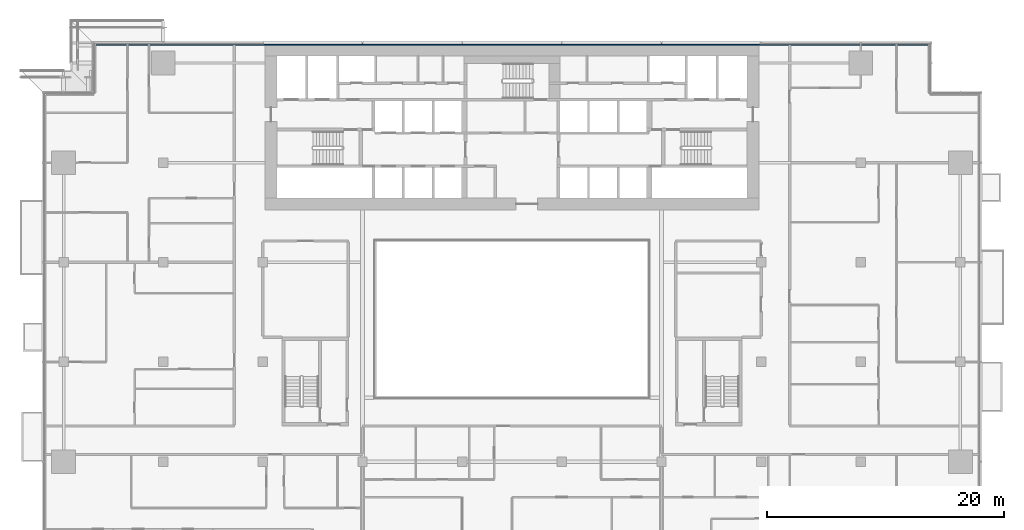
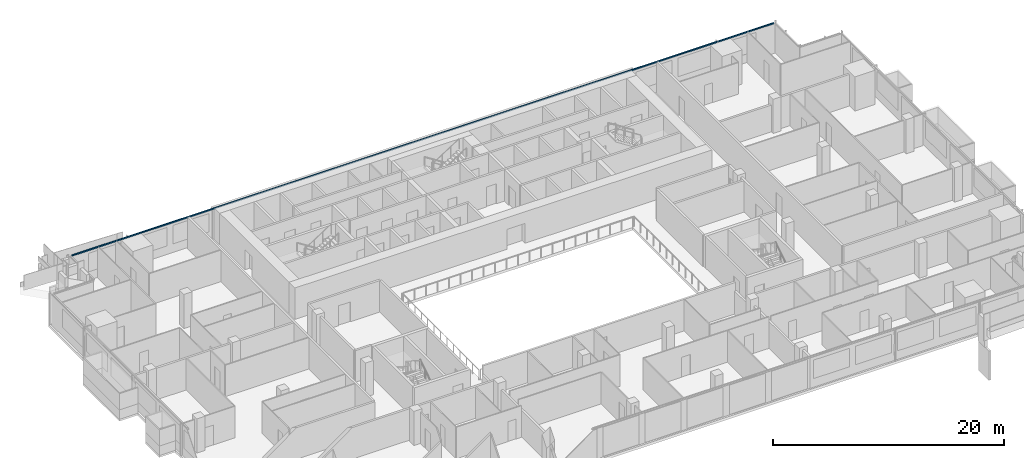
# One storey, part 9 of 29: 1 member, 1 element without a shape of its own.
"""IFC4 building model written with IfcOpenShell, lengths in metres."""

from ifc_helpers import new_model, si_unit, direction, frame, origin, origin_2d, place, context, subcontext, project, spatial, rectangle, extrude, material, material_profile, profile_set, type_object, element, aggregate, save


model = new_model("IFC4")

# Units and contexts
model_context = context("Model", 3, precision=1e-05, world=origin(), true_north=direction((0.0, 1.0)))
body_context = subcontext(model_context, "Body", "Model", "MODEL_VIEW")
ifc_project = project(units=[si_unit("LENGTHUNIT", "METRE"), si_unit("AREAUNIT", "SQUARE_METRE"), si_unit("VOLUMEUNIT", "CUBIC_METRE"), si_unit("PLANEANGLEUNIT", "RADIAN"), si_unit("MASSUNIT", "GRAM", prefix="KILO")], contexts=[model_context])

# Site, building, storey
site_placement = place(None, origin())
site = spatial("IfcSite", under=ifc_project, at=site_placement, CompositionType="ELEMENT")
building_placement = place(site_placement, origin())
building = spatial("IfcBuilding", under=site, at=building_placement, Name="Saffron Gate Tower", CompositionType="ELEMENT")
storey_placement = place(building_placement, frame((0.0, 0.0, 106.050048828125)))
storey = spatial("IfcBuildingStorey", under=building, at=storey_placement, Name="L24", CompositionType="ELEMENT", Elevation=106.050048828125)

# Curtain wall, member
ifc_material = material(Name="Aluminium, bronze anodised", Category="aluminium")
curtain_wall_type = type_object("IfcCurtainWallType", Name="CWS3 curtain wall rear facade", PredefinedType="NOTDEFINED", material=ifc_material)
curtain_wall_placement = place(storey_placement, origin())
curtain_wall = element("IfcCurtainWall", 1, at=curtain_wall_placement, inside=storey, type_object=curtain_wall_type, Name="CWS3 run 7", PredefinedType="NOTDEFINED")
ifc_material_profile = material_profile(ifc_material, rectangle(XDim=0.1201171875, YDim=0.1201171875, at=origin_2d()))
ifc_profile_set = profile_set([ifc_material_profile], Name="Aluminium, bronze anodised")
member_type = type_object("IfcMemberType", Name="CWS3 head transom", PredefinedType="USERDEFINED", material=ifc_profile_set)
member_placement = place(storey_placement, frame((122.632080078125, 75.35205078125, 3.260009765625), z_axis=(-1.0, 0.0, 0.0), x_axis=(0.0, -1.0, 0.0)))
member = element("IfcMember", 2, at=member_placement, type_object=member_type, Name="CWS3 head transom", ObjectType="TRANSOM", PredefinedType="USERDEFINED", context=body_context, shape_type="SweptSolid", body=[
    extrude(rectangle(XDim=0.1201171875, YDim=0.1201171875, at=origin_2d()), origin(), (0.0, 0.0, 1.0), 70.06396484375),
])
aggregate(curtain_wall, [member])

save(model, "model.ifc")
